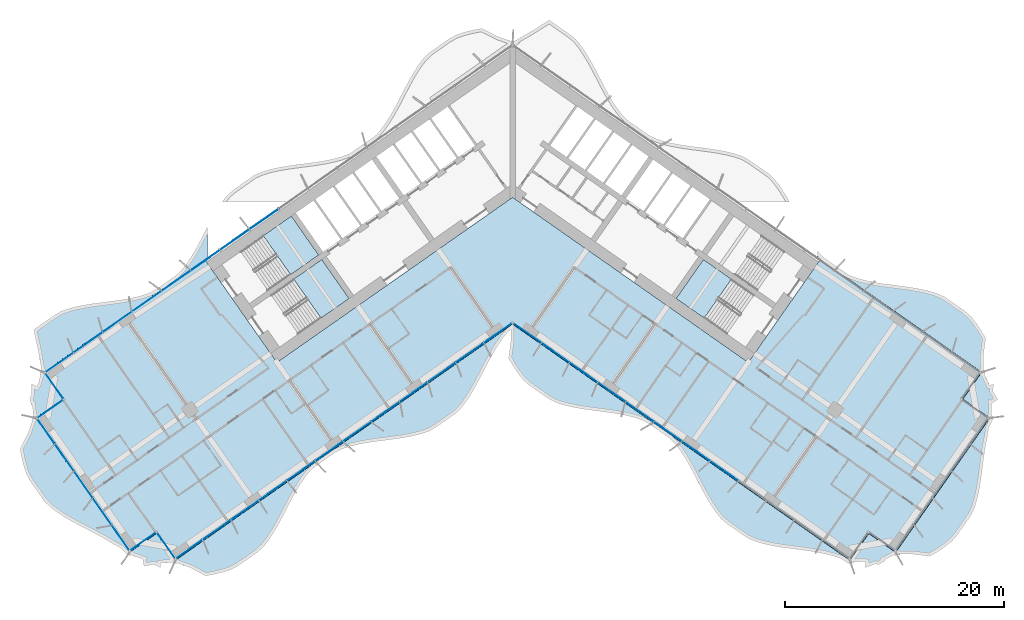
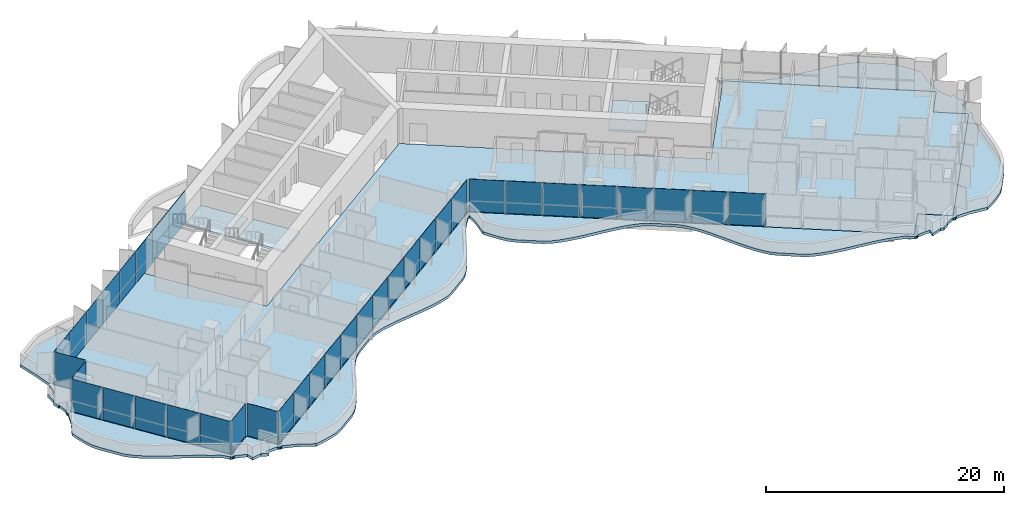
# One storey, part 11 of 24: 37 plates, 5 slabs, 5 elements without a shape of their own.
"""IFC4 building model written with IfcOpenShell, lengths in metres."""

from ifc_helpers import new_model, si_unit, direction, frame, origin, origin_2d, place, context, subcontext, project, spatial, polyline, rectangle, outline, extrude, material, layer, layer_set, type_object, element, aggregate, save


model = new_model("IFC4")

# Units and contexts
model_context = context("Model", 3, precision=1e-05, world=origin(), true_north=direction((0.0, 1.0)))
body_context = subcontext(model_context, "Body", "Model", "MODEL_VIEW")
ifc_project = project(units=[si_unit("LENGTHUNIT", "METRE"), si_unit("AREAUNIT", "SQUARE_METRE"), si_unit("VOLUMEUNIT", "CUBIC_METRE"), si_unit("PLANEANGLEUNIT", "RADIAN"), si_unit("MASSUNIT", "GRAM", prefix="KILO")], contexts=[model_context])

# Site, building, storey
site_placement = place(None, origin())
site = spatial("IfcSite", under=ifc_project, at=site_placement, CompositionType="ELEMENT")
building_placement = place(site_placement, origin())
building = spatial("IfcBuilding", under=site, at=building_placement, Name="Tel Ilan Convention Tower", CompositionType="ELEMENT")
storey_placement = place(building_placement, frame((0.0, 0.0, 68.89990234375)))
storey = spatial("IfcBuildingStorey", under=building, at=storey_placement, Name="L12", CompositionType="ELEMENT", Elevation=68.89990234375)

# Curtain wall, plates
ifc_material_1 = material(Name="Aluminium, bronze anodised", Category="aluminium")
curtain_wall_type_1 = type_object("IfcCurtainWallType", Name="CW1 UNITISED CURTAIN WALL, HOTEL TINTED GLASS", PredefinedType="NOTDEFINED", material=ifc_material_1)
curtain_wall_1_placement = place(storey_placement, origin())
curtain_wall_1 = element("IfcCurtainWall", 1, at=curtain_wall_1_placement, inside=storey, type_object=curtain_wall_type_1, Name="Curtain wall CW1-12.02", PredefinedType="NOTDEFINED")
ifc_material_2 = material(Name="Glass, bronze tinted, two-ply unitised", Category="glass")
ifc_layer_1 = layer(ifc_material_2, 0.028076171875)
ifc_layer_set_1 = layer_set([ifc_layer_1], Name="CW HOTEL GLASS PANEL 28")
plate_type_1 = type_object("IfcPlateType", Name="CW HOTEL GLASS PANEL 28", PredefinedType="CURTAIN_PANEL", material=ifc_layer_set_1)
plate_1_placement = place(storey_placement, frame((-30.765869140625, -8.846435546875, 0.0), z_axis=(0.0, 0.0, 1.0), x_axis=(-0.819152044289, -0.573576436351, 0.0)))
plate_1 = element("IfcPlate", 2, at=plate_1_placement, type_object=plate_type_1, Name="Glass panel", PredefinedType="CURTAIN_PANEL", context=body_context, shape_type="SweptSolid", body=[
    extrude(rectangle(XDim=3.2119140625, YDim=0.028076171875, at=origin_2d()), origin(), (0.0, 0.0, 1.0), 3.320068359375),
])
plate_2_placement = place(storey_placement, frame((-33.446044921875, -10.72314453125, 0.0), z_axis=(0.0, 0.0, 1.0), x_axis=(-0.819152044289, -0.573576436351, 0.0)))
plate_2 = element("IfcPlate", 3, at=plate_2_placement, type_object=plate_type_1, Name="Glass panel", PredefinedType="CURTAIN_PANEL", context=body_context, shape_type="SweptSolid", body=[
    extrude(rectangle(XDim=3.2119140625, YDim=0.028076171875, at=origin_2d()), origin(), (0.0, 0.0, 1.0), 3.320068359375),
])
plate_3_placement = place(storey_placement, frame((-36.12646484375, -12.599853515625, 0.0), z_axis=(0.0, 0.0, 1.0), x_axis=(-0.819152044289, -0.573576436351, 0.0)))
plate_3 = element("IfcPlate", 4, at=plate_3_placement, type_object=plate_type_1, Name="Glass panel", PredefinedType="CURTAIN_PANEL", context=body_context, shape_type="SweptSolid", body=[
    extrude(rectangle(XDim=3.2119140625, YDim=0.028076171875, at=origin_2d()), origin(), (0.0, 0.0, 1.0), 3.320068359375),
])
plate_4_placement = place(storey_placement, frame((-38.806640625, -14.4765625, 0.0), z_axis=(0.0, 0.0, 1.0), x_axis=(-0.819152044289, -0.573576436351, 0.0)))
plate_4 = element("IfcPlate", 5, at=plate_4_placement, type_object=plate_type_1, Name="Glass panel", PredefinedType="CURTAIN_PANEL", context=body_context, shape_type="SweptSolid", body=[
    extrude(rectangle(XDim=3.2119140625, YDim=0.028076171875, at=origin_2d()), origin(), (0.0, 0.0, 1.0), 3.320068359375),
])
plate_5_placement = place(storey_placement, frame((-41.448486328125, -16.326416015625, 0.0), z_axis=(0.0, 0.0, 1.0), x_axis=(-0.819152044289, -0.573576436351, 0.0)))
plate_5 = element("IfcPlate", 6, at=plate_5_placement, type_object=plate_type_1, Name="Glass panel", PredefinedType="CURTAIN_PANEL", context=body_context, shape_type="SweptSolid", body=[
    extrude(rectangle(XDim=3.117919921875, YDim=0.028076171875, at=origin_2d()), origin(), (0.0, 0.0, 1.0), 3.320068359375),
])
plate_6_placement = place(storey_placement, frame((-41.90673828125, -18.431640625, 0.0), z_axis=(0.0, 0.0, 1.0), x_axis=(0.573576436351, -0.819152044289, 0.0)))
plate_6 = element("IfcPlate", 7, at=plate_6_placement, type_object=plate_type_1, Name="Glass panel", PredefinedType="CURTAIN_PANEL", context=body_context, shape_type="SweptSolid", body=[
    extrude(rectangle(XDim=2.875, YDim=0.028076171875, at=origin_2d()), origin(), (0.0, 0.0, 1.0), 3.320068359375),
])
plate_7_placement = place(storey_placement, frame((-42.28466796875, -20.57421875, 0.0), z_axis=(0.0, 0.0, 1.0), x_axis=(-0.819152044289, -0.573576436351, 0.0)))
plate_7 = element("IfcPlate", 8, at=plate_7_placement, type_object=plate_type_1, Name="Glass panel", PredefinedType="CURTAIN_PANEL", context=body_context, shape_type="SweptSolid", body=[
    extrude(rectangle(XDim=2.875, YDim=0.028076171875, at=origin_2d()), origin(), (0.0, 0.0, 1.0), 3.320068359375),
])
plate_8_placement = place(storey_placement, frame((-42.65185546875, -22.597900390625, 0.0), z_axis=(0.0, 0.0, 1.0), x_axis=(0.573576436351, -0.819152044289, 0.0)))
plate_8 = element("IfcPlate", 9, at=plate_8_placement, type_object=plate_type_1, Name="Glass panel", PredefinedType="CURTAIN_PANEL", context=body_context, shape_type="SweptSolid", body=[
    extrude(rectangle(XDim=2.845947265625, YDim=0.028076171875, at=origin_2d()), origin(), (0.0, 0.0, 1.0), 3.320068359375),
])
plate_9_placement = place(storey_placement, frame((-40.9580078125, -25.016845703125, 0.0), z_axis=(0.0, 0.0, 1.0), x_axis=(0.573576436351, -0.819152044289, 0.0)))
plate_9 = element("IfcPlate", 10, at=plate_9_placement, type_object=plate_type_1, Name="Glass panel", PredefinedType="CURTAIN_PANEL", context=body_context, shape_type="SweptSolid", body=[
    extrude(rectangle(XDim=2.93994140625, YDim=0.028076171875, at=origin_2d()), origin(), (0.0, 0.0, 1.0), 3.320068359375),
])
plate_10_placement = place(storey_placement, frame((-39.2373046875, -27.474365234375, 0.0), z_axis=(0.0, 0.0, 1.0), x_axis=(0.573576436351, -0.819152044289, 0.0)))
plate_10 = element("IfcPlate", 11, at=plate_10_placement, type_object=plate_type_1, Name="Glass panel", PredefinedType="CURTAIN_PANEL", context=body_context, shape_type="SweptSolid", body=[
    extrude(rectangle(XDim=2.93994140625, YDim=0.028076171875, at=origin_2d()), origin(), (0.0, 0.0, 1.0), 3.320068359375),
])
plate_11_placement = place(storey_placement, frame((-37.5166015625, -29.931884765625, 0.0), z_axis=(0.0, 0.0, 1.0), x_axis=(0.573576436351, -0.819152044289, 0.0)))
plate_11 = element("IfcPlate", 12, at=plate_11_placement, type_object=plate_type_1, Name="Glass panel", PredefinedType="CURTAIN_PANEL", context=body_context, shape_type="SweptSolid", body=[
    extrude(rectangle(XDim=2.93994140625, YDim=0.028076171875, at=origin_2d()), origin(), (0.0, 0.0, 1.0), 3.320068359375),
])
plate_12_placement = place(storey_placement, frame((-35.822998046875, -32.350830078125, 0.0), z_axis=(0.0, 0.0, 1.0), x_axis=(0.573576436351, -0.819152044289, 0.0)))
plate_12 = element("IfcPlate", 13, at=plate_12_placement, type_object=plate_type_1, Name="Glass panel", PredefinedType="CURTAIN_PANEL", context=body_context, shape_type="SweptSolid", body=[
    extrude(rectangle(XDim=2.845947265625, YDim=0.028076171875, at=origin_2d()), origin(), (0.0, 0.0, 1.0), 3.320068359375),
])
plate_13_placement = place(storey_placement, frame((-33.795654296875, -32.69775390625, 0.0), z_axis=(0.0, 0.0, 1.0), x_axis=(0.819152044289, 0.573576436351, 0.0)))
plate_13 = element("IfcPlate", 14, at=plate_13_placement, type_object=plate_type_1, Name="Glass panel", PredefinedType="CURTAIN_PANEL", context=body_context, shape_type="SweptSolid", body=[
    extrude(rectangle(XDim=2.875, YDim=0.028076171875, at=origin_2d()), origin(), (0.0, 0.0, 1.0), 3.320068359375),
])
plate_14_placement = place(storey_placement, frame((-31.653076171875, -33.07568359375, 0.0), z_axis=(0.0, 0.0, 1.0), x_axis=(0.573576436351, -0.819152044289, 0.0)))
plate_14 = element("IfcPlate", 15, at=plate_14_placement, type_object=plate_type_1, Name="Glass panel", PredefinedType="CURTAIN_PANEL", context=body_context, shape_type="SweptSolid", body=[
    extrude(rectangle(XDim=2.875, YDim=0.028076171875, at=origin_2d()), origin(), (0.0, 0.0, 1.0), 3.320068359375),
])
plate_15_placement = place(storey_placement, frame((-29.5732421875, -33.4033203125, 0.0), z_axis=(0.0, 0.0, 1.0), x_axis=(0.819152044289, 0.573576436351, 0.0)))
plate_15 = element("IfcPlate", 16, at=plate_15_placement, type_object=plate_type_1, Name="Glass panel", PredefinedType="CURTAIN_PANEL", context=body_context, shape_type="SweptSolid", body=[
    extrude(rectangle(XDim=2.9833984375, YDim=0.028076171875, at=origin_2d()), origin(), (0.0, 0.0, 1.0), 3.320068359375),
])
plate_16_placement = place(storey_placement, frame((-27.041748046875, -31.630859375, 0.0), z_axis=(0.0, 0.0, 1.0), x_axis=(0.819152044289, 0.573576436351, 0.0)))
plate_16 = element("IfcPlate", 17, at=plate_16_placement, type_object=plate_type_1, Name="Glass panel", PredefinedType="CURTAIN_PANEL", context=body_context, shape_type="SweptSolid", body=[
    extrude(rectangle(XDim=3.077392578125, YDim=0.028076171875, at=origin_2d()), origin(), (0.0, 0.0, 1.0), 3.320068359375),
])
plate_17_placement = place(storey_placement, frame((-24.4716796875, -29.831298828125, 0.0), z_axis=(0.0, 0.0, 1.0), x_axis=(0.819152044289, 0.573576436351, 0.0)))
plate_17 = element("IfcPlate", 18, at=plate_17_placement, type_object=plate_type_1, Name="Glass panel", PredefinedType="CURTAIN_PANEL", context=body_context, shape_type="SweptSolid", body=[
    extrude(rectangle(XDim=3.077392578125, YDim=0.028076171875, at=origin_2d()), origin(), (0.0, 0.0, 1.0), 3.320068359375),
])
plate_18_placement = place(storey_placement, frame((-21.90185546875, -28.031982421875, 0.0), z_axis=(0.0, 0.0, 1.0), x_axis=(0.819152044289, 0.573576436351, 0.0)))
plate_18 = element("IfcPlate", 19, at=plate_18_placement, type_object=plate_type_1, Name="Glass panel", PredefinedType="CURTAIN_PANEL", context=body_context, shape_type="SweptSolid", body=[
    extrude(rectangle(XDim=3.077392578125, YDim=0.028076171875, at=origin_2d()), origin(), (0.0, 0.0, 1.0), 3.320068359375),
])
plate_19_placement = place(storey_placement, frame((-19.33203125, -26.232421875, 0.0), z_axis=(0.0, 0.0, 1.0), x_axis=(0.819152044289, 0.573576436351, 0.0)))
plate_19 = element("IfcPlate", 20, at=plate_19_placement, type_object=plate_type_1, Name="Glass panel", PredefinedType="CURTAIN_PANEL", context=body_context, shape_type="SweptSolid", body=[
    extrude(rectangle(XDim=3.077392578125, YDim=0.028076171875, at=origin_2d()), origin(), (0.0, 0.0, 1.0), 3.320068359375),
])
plate_20_placement = place(storey_placement, frame((-16.761962890625, -24.432861328125, 0.0), z_axis=(0.0, 0.0, 1.0), x_axis=(0.819152044289, 0.573576436351, 0.0)))
plate_20 = element("IfcPlate", 21, at=plate_20_placement, type_object=plate_type_1, Name="Glass panel", PredefinedType="CURTAIN_PANEL", context=body_context, shape_type="SweptSolid", body=[
    extrude(rectangle(XDim=3.077392578125, YDim=0.028076171875, at=origin_2d()), origin(), (0.0, 0.0, 1.0), 3.320068359375),
])
plate_21_placement = place(storey_placement, frame((-14.192138671875, -22.633544921875, 0.0), z_axis=(0.0, 0.0, 1.0), x_axis=(0.819152044289, 0.573576436351, 0.0)))
plate_21 = element("IfcPlate", 22, at=plate_21_placement, type_object=plate_type_1, Name="Glass panel", PredefinedType="CURTAIN_PANEL", context=body_context, shape_type="SweptSolid", body=[
    extrude(rectangle(XDim=3.077392578125, YDim=0.028076171875, at=origin_2d()), origin(), (0.0, 0.0, 1.0), 3.320068359375),
])
plate_22_placement = place(storey_placement, frame((-11.6220703125, -20.833984375, 0.0), z_axis=(0.0, 0.0, 1.0), x_axis=(0.819152044289, 0.573576436351, 0.0)))
plate_22 = element("IfcPlate", 23, at=plate_22_placement, type_object=plate_type_1, Name="Glass panel", PredefinedType="CURTAIN_PANEL", context=body_context, shape_type="SweptSolid", body=[
    extrude(rectangle(XDim=3.077392578125, YDim=0.028076171875, at=origin_2d()), origin(), (0.0, 0.0, 1.0), 3.320068359375),
])
plate_23_placement = place(storey_placement, frame((-9.05224609375, -19.034423828125, 0.0), z_axis=(0.0, 0.0, 1.0), x_axis=(0.819152044289, 0.573576436351, 0.0)))
plate_23 = element("IfcPlate", 24, at=plate_23_placement, type_object=plate_type_1, Name="Glass panel", PredefinedType="CURTAIN_PANEL", context=body_context, shape_type="SweptSolid", body=[
    extrude(rectangle(XDim=3.077392578125, YDim=0.028076171875, at=origin_2d()), origin(), (0.0, 0.0, 1.0), 3.320068359375),
])
plate_24_placement = place(storey_placement, frame((-6.482177734375, -17.23486328125, 0.0), z_axis=(0.0, 0.0, 1.0), x_axis=(0.819152044289, 0.573576436351, 0.0)))
plate_24 = element("IfcPlate", 25, at=plate_24_placement, type_object=plate_type_1, Name="Glass panel", PredefinedType="CURTAIN_PANEL", context=body_context, shape_type="SweptSolid", body=[
    extrude(rectangle(XDim=3.077392578125, YDim=0.028076171875, at=origin_2d()), origin(), (0.0, 0.0, 1.0), 3.320068359375),
])
plate_25_placement = place(storey_placement, frame((-3.912353515625, -15.435546875, 0.0), z_axis=(0.0, 0.0, 1.0), x_axis=(0.819152044289, 0.573576436351, 0.0)))
plate_25 = element("IfcPlate", 26, at=plate_25_placement, type_object=plate_type_1, Name="Glass panel", PredefinedType="CURTAIN_PANEL", context=body_context, shape_type="SweptSolid", body=[
    extrude(rectangle(XDim=3.077392578125, YDim=0.028076171875, at=origin_2d()), origin(), (0.0, 0.0, 1.0), 3.320068359375),
])
plate_26_placement = place(storey_placement, frame((-1.3427734375, -13.63623046875, 0.0), z_axis=(0.0, 0.0, 1.0), x_axis=(0.819152044289, 0.573576436351, 0.0)))
plate_26 = element("IfcPlate", 27, at=plate_26_placement, type_object=plate_type_1, Name="Glass panel", PredefinedType="CURTAIN_PANEL", context=body_context, shape_type="SweptSolid", body=[
    extrude(rectangle(XDim=3.076416015625, YDim=0.028076171875, at=origin_2d()), origin(), (0.0, 0.0, 1.0), 3.320068359375),
])
plate_27_placement = place(storey_placement, frame((1.354248046875, -13.644287109375, 0.0), z_axis=(0.0, 0.0, 1.0), x_axis=(0.819152044289, -0.573576436351, 0.0)))
plate_27 = element("IfcPlate", 28, at=plate_27_placement, type_object=plate_type_1, Name="Glass panel", PredefinedType="CURTAIN_PANEL", context=body_context, shape_type="SweptSolid", body=[
    extrude(rectangle(XDim=3.048095703125, YDim=0.028076171875, at=origin_2d()), origin(), (0.0, 0.0, 1.0), 3.320068359375),
])
plate_28_placement = place(storey_placement, frame((3.912353515625, -15.435546875, 0.0), z_axis=(0.0, 0.0, 1.0), x_axis=(0.819152044289, -0.573576436351, 0.0)))
plate_28 = element("IfcPlate", 29, at=plate_28_placement, type_object=plate_type_1, Name="Glass panel", PredefinedType="CURTAIN_PANEL", context=body_context, shape_type="SweptSolid", body=[
    extrude(rectangle(XDim=3.077392578125, YDim=0.028076171875, at=origin_2d()), origin(), (0.0, 0.0, 1.0), 3.320068359375),
])
plate_29_placement = place(storey_placement, frame((6.482177734375, -17.23486328125, 0.0), z_axis=(0.0, 0.0, 1.0), x_axis=(0.819152044289, -0.573576436351, 0.0)))
plate_29 = element("IfcPlate", 30, at=plate_29_placement, type_object=plate_type_1, Name="Glass panel", PredefinedType="CURTAIN_PANEL", context=body_context, shape_type="SweptSolid", body=[
    extrude(rectangle(XDim=3.077392578125, YDim=0.028076171875, at=origin_2d()), origin(), (0.0, 0.0, 1.0), 3.320068359375),
])
plate_30_placement = place(storey_placement, frame((9.05224609375, -19.034423828125, 0.0), z_axis=(0.0, 0.0, 1.0), x_axis=(0.819152044289, -0.573576436351, 0.0)))
plate_30 = element("IfcPlate", 31, at=plate_30_placement, type_object=plate_type_1, Name="Glass panel", PredefinedType="CURTAIN_PANEL", context=body_context, shape_type="SweptSolid", body=[
    extrude(rectangle(XDim=3.077392578125, YDim=0.028076171875, at=origin_2d()), origin(), (0.0, 0.0, 1.0), 3.320068359375),
])
plate_31_placement = place(storey_placement, frame((11.6220703125, -20.833984375, 0.0), z_axis=(0.0, 0.0, 1.0), x_axis=(0.819152044289, -0.573576436351, 0.0)))
plate_31 = element("IfcPlate", 32, at=plate_31_placement, type_object=plate_type_1, Name="Glass panel", PredefinedType="CURTAIN_PANEL", context=body_context, shape_type="SweptSolid", body=[
    extrude(rectangle(XDim=3.077392578125, YDim=0.028076171875, at=origin_2d()), origin(), (0.0, 0.0, 1.0), 3.320068359375),
])
plate_32_placement = place(storey_placement, frame((14.192138671875, -22.633544921875, 0.0), z_axis=(0.0, 0.0, 1.0), x_axis=(0.819152044289, -0.573576436351, 0.0)))
plate_32 = element("IfcPlate", 33, at=plate_32_placement, type_object=plate_type_1, Name="Glass panel", PredefinedType="CURTAIN_PANEL", context=body_context, shape_type="SweptSolid", body=[
    extrude(rectangle(XDim=3.077392578125, YDim=0.028076171875, at=origin_2d()), origin(), (0.0, 0.0, 1.0), 3.320068359375),
])
plate_33_placement = place(storey_placement, frame((16.761962890625, -24.432861328125, 0.0), z_axis=(0.0, 0.0, 1.0), x_axis=(0.819152044289, -0.573576436351, 0.0)))
plate_33 = element("IfcPlate", 34, at=plate_33_placement, type_object=plate_type_1, Name="Glass panel", PredefinedType="CURTAIN_PANEL", context=body_context, shape_type="SweptSolid", body=[
    extrude(rectangle(XDim=3.077392578125, YDim=0.028076171875, at=origin_2d()), origin(), (0.0, 0.0, 1.0), 3.320068359375),
])
plate_34_placement = place(storey_placement, frame((19.33203125, -26.232421875, 0.0), z_axis=(0.0, 0.0, 1.0), x_axis=(0.819152044289, -0.573576436351, 0.0)))
plate_34 = element("IfcPlate", 35, at=plate_34_placement, type_object=plate_type_1, Name="Glass panel", PredefinedType="CURTAIN_PANEL", context=body_context, shape_type="SweptSolid", body=[
    extrude(rectangle(XDim=3.077392578125, YDim=0.028076171875, at=origin_2d()), origin(), (0.0, 0.0, 1.0), 3.320068359375),
])
aggregate(curtain_wall_1, [plate_1, plate_2, plate_3, plate_4, plate_5, plate_6, plate_7, plate_8, plate_9, plate_10, plate_11, plate_12, plate_13, plate_14, plate_15, plate_16, plate_17, plate_18, plate_19, plate_20, plate_21, plate_22, plate_23, plate_24, plate_25, plate_26, plate_27, plate_28, plate_29, plate_30, plate_31, plate_32, plate_33, plate_34])

ifc_material_3 = material(Name="Aluminium, bronze anodised", Category="aluminium")
curtain_wall_type_2 = type_object("IfcCurtainWallType", Name="CW2 STICK CURTAIN WALL, SPANDREL PANELS", PredefinedType="NOTDEFINED", material=ifc_material_3)
curtain_wall_2_placement = place(storey_placement, origin())
curtain_wall_2 = element("IfcCurtainWall", 36, at=curtain_wall_2_placement, inside=storey, type_object=curtain_wall_type_2, Name="Curtain wall CW2-12.01", PredefinedType="NOTDEFINED")
ifc_material_4 = material(Name="Aluminium composite panel, bronze anodised", Category="aluminium")
ifc_layer_2 = layer(ifc_material_4, 0.06005859375)
ifc_layer_set_2 = layer_set([ifc_layer_2], Name="CW SPANDREL PANEL 60")
plate_type_2 = type_object("IfcPlateType", Name="CW SPANDREL PANEL 60", PredefinedType="CURTAIN_PANEL", material=ifc_layer_set_2)
plate_35_placement = place(storey_placement, frame((-22.72509765625, -3.216064453125, 0.0), z_axis=(0.0, 0.0, 1.0), x_axis=(-0.819152044289, -0.573576436351, 0.0)))
plate_35 = element("IfcPlate", 37, at=plate_35_placement, type_object=plate_type_2, Name="Spandrel panel", PredefinedType="CURTAIN_PANEL", context=body_context, shape_type="SweptSolid", body=[
    extrude(rectangle(XDim=3.2119140625, YDim=0.06005859375, at=origin_2d()), origin(), (0.0, 0.0, 1.0), 3.320068359375),
])
plate_36_placement = place(storey_placement, frame((-25.4052734375, -5.0927734375, 0.0), z_axis=(0.0, 0.0, 1.0), x_axis=(-0.819152044289, -0.573576436351, 0.0)))
plate_36 = element("IfcPlate", 38, at=plate_36_placement, type_object=plate_type_2, Name="Spandrel panel", PredefinedType="CURTAIN_PANEL", context=body_context, shape_type="SweptSolid", body=[
    extrude(rectangle(XDim=3.2119140625, YDim=0.06005859375, at=origin_2d()), origin(), (0.0, 0.0, 1.0), 3.320068359375),
])
plate_37_placement = place(storey_placement, frame((-28.08544921875, -6.9697265625, 0.0), z_axis=(0.0, 0.0, 1.0), x_axis=(-0.819152044289, -0.573576436351, 0.0)))
plate_37 = element("IfcPlate", 39, at=plate_37_placement, type_object=plate_type_2, Name="Spandrel panel", PredefinedType="CURTAIN_PANEL", context=body_context, shape_type="SweptSolid", body=[
    extrude(rectangle(XDim=3.2119140625, YDim=0.06005859375, at=origin_2d()), origin(), (0.0, 0.0, 1.0), 3.320068359375),
])
aggregate(curtain_wall_2, [plate_35, plate_36, plate_37])

# Stair, slab
ifc_material_5 = material(Name="Concrete C40/50", Category="concrete")
stair_type = type_object("IfcStairType", Name="Pressurised Exit Stair 20 risers 180 mm", PredefinedType="HALF_TURN_STAIR", material=ifc_material_5)
stair_1_placement = place(storey_placement, origin())
stair_1 = element("IfcStair", 40, at=stair_1_placement, inside=storey, type_object=stair_type, Name="L12 Pressurised Stair S1", PredefinedType="HALF_TURN_STAIR")
ifc_material_6 = material(Name="Concrete C40/50", Category="concrete")
ifc_layer_3 = layer(ifc_material_6, 0.199951171875)
ifc_layer_set_3 = layer_set([ifc_layer_3], Name="Concrete Stair Landing 200 mm C40/50")
slab_type_1 = type_object("IfcSlabType", Name="Concrete Stair Landing 200 mm", PredefinedType="LANDING", material=ifc_layer_set_3)
slab_1_placement = place(storey_placement, frame((0.0, 0.0, 1.60009765625)))
slab_1 = element("IfcSlab", 41, at=slab_1_placement, type_object=slab_type_1, Name="S1 landing 1", PredefinedType="LANDING", context=body_context, shape_type="SweptSolid", body=[
    extrude(outline(polyline([(-20.2958984375, -8.29052734375), (-17.7314453125, -6.494873046875), (-20.226318359375, -2.931640625), (-22.791015625, -4.727294921875), (-20.2958984375, -8.29052734375)])), origin(), (0.0, 0.0, 1.0), 0.199951171875),
])
aggregate(stair_1, [slab_1])

stair_2_placement = place(storey_placement, origin())
stair_2 = element("IfcStair", 42, at=stair_2_placement, inside=storey, type_object=stair_type, Name="L12 Pressurised Stair S2", PredefinedType="HALF_TURN_STAIR")
slab_2_placement = place(storey_placement, frame((0.0, 0.0, 1.60009765625)))
slab_2 = element("IfcSlab", 43, at=slab_2_placement, type_object=slab_type_1, Name="S2 landing 1", PredefinedType="LANDING", context=body_context, shape_type="SweptSolid", body=[
    extrude(outline(polyline([(-17.51416015625, -12.263427734375), (-14.949462890625, -10.4677734375), (-17.444580078125, -6.904541015625), (-20.00927734375, -8.7001953125), (-17.51416015625, -12.263427734375)])), origin(), (0.0, 0.0, 1.0), 0.199951171875),
])
aggregate(stair_2, [slab_2])

stair_3_placement = place(storey_placement, origin())
stair_3 = element("IfcStair", 44, at=stair_3_placement, inside=storey, type_object=stair_type, Name="L12 Pressurised Stair S4", PredefinedType="HALF_TURN_STAIR")
slab_3_placement = place(storey_placement, frame((0.0, 0.0, 1.60009765625)))
slab_3 = element("IfcSlab", 45, at=slab_3_placement, type_object=slab_type_1, Name="S4 landing 1", PredefinedType="LANDING", context=body_context, shape_type="SweptSolid", body=[
    extrude(outline(polyline([(20.00927734375, -8.7001953125), (17.444580078125, -6.904541015625), (14.949462890625, -10.4677734375), (17.51416015625, -12.263427734375), (20.00927734375, -8.7001953125)])), origin(), (0.0, 0.0, 1.0), 0.199951171875),
])
aggregate(stair_3, [slab_3])

# Slabs
ifc_material_7 = material(Name="Concrete C40/50", Category="concrete")
ifc_layer_4 = layer(ifc_material_7, 0.280029296875)
ifc_layer_set_4 = layer_set([ifc_layer_4], Name="Edge Ledge Slab 280 mm C40/50")
slab_type_2 = type_object("IfcSlabType", Name="Edge Ledge Slab 280 mm C40/50", PredefinedType="FLOOR", material=ifc_layer_set_4)
slab_4_placement = place(storey_placement, frame((0.0, 0.0, -0.27978515625)))
element("IfcSlab", 46, at=slab_4_placement, inside=storey, type_object=slab_type_2, Name="L12 edge ledge 1", PredefinedType="FLOOR", context=body_context, shape_type="SweptSolid", body=[
    extrude(outline(polyline([(-30.83935546875, -34.412109375), (0.0, -12.818115234375), (30.83935546875, -34.412109375), (31.006591796875, -34.173095703125), (31.8720703125, -32.93701171875), (32.56005859375, -31.95458984375), (35.017578125, -33.67529296875), (43.62109375, -21.387939453125), (41.163818359375, -19.667236328125), (42.884521484375, -17.209716796875), (27.875, -6.7001953125), (27.875, -6.095458984375), (28.356689453125, -6.663818359375), (28.9658203125, -7.097900390625), (30.191162109375, -7.955810546875), (30.819091796875, -8.36279296875), (31.54931640625, -8.623779296875), (32.318115234375, -8.830078125), (33.117919921875, -8.99169921875), (33.940185546875, -9.120849609375), (34.77587890625, -9.2314453125), (35.614501953125, -9.337646484375), (36.44580078125, -9.4541015625), (37.260009765625, -9.595458984375), (38.0478515625, -9.774169921875), (38.80126953125, -10.001953125), (39.492919921875, -10.318115234375), (41.330810546875, -11.605224609375), (41.898193359375, -12.098876953125), (42.38134765625, -12.712890625), (42.827880859375, -13.378662109375), (43.245849609375, -14.085693359375), (43.041259765625, -15.681884765625), (43.056396484375, -16.964111328125), (43.05322265625, -16.96875), (43.096435546875, -16.997802734375), (43.16162109375, -17.094970703125), (43.184326171875, -17.209716796875), (43.16162109375, -17.32470703125), (43.12548828125, -17.378662109375), (43.130126953125, -17.3818359375), (43.590087890625, -18.400390625), (43.980224609375, -18.259765625), (43.89599609375, -18.9287109375), (44.357421875, -19.7060546875), (43.8017578125, -20.049560546875), (43.78125, -20.04541015625), (43.793212890625, -21.142333984375), (43.789794921875, -21.14697265625), (43.833251953125, -21.17578125), (43.898193359375, -21.273193359375), (43.921142578125, -21.387939453125), (43.898193359375, -21.502685546875), (43.8623046875, -21.556884765625), (43.866943359375, -21.56005859375), (43.5263671875, -22.2373046875), (43.40673828125, -23.069091796875), (43.24267578125, -23.86962890625), (43.11181640625, -24.693603515625), (43.00048828125, -25.53125), (42.89404296875, -26.372314453125), (42.777587890625, -27.20654296875), (42.63720703125, -28.023681640625), (42.45947265625, -28.814697265625), (42.232421875, -29.571533203125), (41.919921875, -30.268310546875), (40.62939453125, -32.111328125), (40.13671875, -32.681884765625), (39.521728515625, -33.1669921875), (38.8544921875, -33.615234375), (38.145751953125, -34.034423828125), (36.55078125, -33.833251953125), (35.26318359375, -33.847412109375), (35.258544921875, -33.843994140625), (35.2294921875, -33.887451171875), (35.13232421875, -33.952392578125), (35.017578125, -33.975341796875), (34.902587890625, -33.952392578125), (34.8486328125, -33.91650390625), (34.845458984375, -33.921142578125), (33.979248046875, -34.3603515625), (34.032958984375, -34.45068359375), (33.477294921875, -34.794189453125), (33.17138671875, -34.73291015625), (32.20068359375, -35.082763671875), (32.267822265625, -34.55126953125), (32.01025390625, -34.49951171875), (31.0849609375, -34.583984375), (31.080322265625, -34.580810546875), (31.051513671875, -34.624267578125), (30.9541015625, -34.689208984375), (30.83935546875, -34.7119140625), (30.724609375, -34.689208984375), (30.67041015625, -34.653076171875), (30.667236328125, -34.65771484375), (30.052001953125, -34.24951171875), (29.31787109375, -34.010986328125), (28.5576171875, -33.809814453125), (27.76708984375, -33.6513671875), (26.955078125, -33.5244140625), (26.130126953125, -33.415283203125), (25.302490234375, -33.310546875), (24.481689453125, -33.19580078125), (23.67724609375, -33.0576171875), (22.898193359375, -32.8828125), (22.15234375, -32.6611328125), (21.460693359375, -32.362060546875), (19.646728515625, -31.091796875), (19.073486328125, -30.623291015625), (18.59130859375, -30.025146484375), (18.145263671875, -29.375), (17.728759765625, -28.682861328125), (17.333251953125, -27.960693359375), (16.949462890625, -27.2216796875), (16.567626953125, -26.47998046875), (16.177734375, -25.749755859375), (15.7705078125, -25.044189453125), (15.33740234375, -24.376220703125), (14.8701171875, -23.75634765625), (14.340576171875, -23.2255859375), (12.526611328125, -21.95556640625), (11.8798828125, -21.591796875), (11.14892578125, -21.3486328125), (10.38232421875, -21.15673828125), (9.5869140625, -21.005615234375), (8.771484375, -20.883056640625), (7.9453125, -20.77587890625), (7.1181640625, -20.67041015625), (6.2998046875, -20.552001953125), (5.499755859375, -20.40771484375), (4.726806640625, -20.224609375), (3.98828125, -19.9921875), (3.320068359375, -19.65966796875), (1.505859375, -18.389404296875), (0.95361328125, -17.89111328125), (0.47900390625, -17.281982421875), (0.03955078125, -16.62255859375), (-0.37109375, -15.922119140625), (-0.15185546875, -14.322021484375), (-0.16796875, -13.314697265625), (-0.422119140625, -13.502197265625), (-0.897216796875, -14.110595703125), (-1.346435546875, -14.75634765625), (-1.765380859375, -15.44482421875), (-2.16259765625, -16.16455078125), (-2.547119140625, -16.90234375), (-2.9287109375, -17.644287109375), (-3.3173828125, -18.37646484375), (-3.722412109375, -19.0849609375), (-4.15283203125, -19.757080078125), (-4.616455078125, -20.38232421875), (-5.134033203125, -20.929931640625), (-6.947998046875, -22.2001953125), (-7.584228515625, -22.57861328125), (-8.311279296875, -22.8271484375), (-9.074951171875, -23.023681640625), (-9.867919921875, -23.178466796875), (-10.681640625, -23.30322265625), (-11.507080078125, -23.4111328125), (-12.334716796875, -23.516357421875), (-13.154296875, -23.6328125), (-13.95654296875, -23.774169921875), (-14.732666015625, -23.952880859375), (-15.474853515625, -24.1796875), (-16.154541015625, -24.495849609375), (-17.96875, -25.76611328125), (-18.531494140625, -26.249267578125), (-19.010009765625, -26.85302734375), (-19.45263671875, -27.5078125), (-19.86669921875, -28.20361328125), (-20.2607421875, -28.927978515625), (-20.643798828125, -29.66748046875), (-21.02587890625, -30.40869140625), (-21.4169921875, -31.13720703125), (-21.826416015625, -31.839599609375), (-22.262939453125, -32.50341796875), (-22.733642578125, -33.117919921875), (-23.27490234375, -33.632080078125), (-25.0888671875, -34.90234375), (-25.74609375, -35.2509765625), (-26.48095703125, -35.488525390625), (-27.250732421875, -35.676025390625), (-28.049560546875, -35.822265625), (-29.47802734375, -35.069091796875), (-30.667236328125, -34.65771484375), (-30.67041015625, -34.653076171875), (-30.724609375, -34.689208984375), (-30.83935546875, -34.7119140625), (-30.9541015625, -34.689208984375), (-31.051513671875, -34.624267578125), (-31.080322265625, -34.580810546875), (-31.0849609375, -34.583984375), (-32.199462890625, -34.66796875), (-32.20068359375, -35.082763671875), (-32.80029296875, -34.77490234375), (-33.688720703125, -34.9423828125), (-33.821533203125, -34.302734375), (-33.810546875, -34.284912109375), (-34.845458984375, -33.921142578125), (-34.8486328125, -33.91650390625), (-34.902587890625, -33.952392578125), (-35.017578125, -33.975341796875), (-35.13232421875, -33.952392578125), (-35.2294921875, -33.887451171875), (-35.258544921875, -33.843994140625), (-35.26318359375, -33.847412109375), (-35.783203125, -33.2958984375), (-36.523681640625, -32.89892578125), (-37.22021484375, -32.470703125), (-37.94970703125, -32.066162109375), (-38.698486328125, -31.6748046875), (-39.452392578125, -31.287353515625), (-40.196533203125, -30.892578125), (-40.91650390625, -30.481201171875), (-41.59912109375, -30.04345703125), (-42.232421875, -29.571533203125), (-42.7802734375, -29.03955078125), (-44.07080078125, -27.1962890625), (-44.438720703125, -26.538330078125), (-44.68408203125, -25.794677734375), (-44.876953125, -25.01416015625), (-45.028564453125, -24.20458984375), (-44.2939453125, -22.77490234375), (-43.866943359375, -21.56005859375), (-43.8623046875, -21.556884765625), (-43.898193359375, -21.502685546875), (-43.921142578125, -21.387939453125), (-43.898193359375, -21.273193359375), (-43.833251953125, -21.17578125), (-43.789794921875, -21.14697265625), (-43.793212890625, -21.142333984375), (-43.909912109375, -20.177978515625), (-44.01318359375, -20.197509765625), (-44.14599609375, -19.55810546875), (-43.9833984375, -19.29150390625), (-43.980224609375, -18.259765625), (-43.50390625, -18.504638671875), (-43.3671875, -18.2802734375), (-43.130126953125, -17.3818359375), (-43.12548828125, -17.378662109375), (-43.16162109375, -17.32470703125), (-43.184326171875, -17.209716796875), (-43.16162109375, -17.094970703125), (-43.096435546875, -16.997802734375), (-43.05322265625, -16.96875), (-43.056396484375, -16.964111328125), (-43.364990234375, -15.219482421875), (-43.78125, -13.321044921875), (-43.168701171875, -12.89208984375), (-41.943603515625, -12.0341796875), (-41.30322265625, -11.64453125), (-40.56787109375, -11.390869140625), (-39.794921875, -11.19091796875), (-38.99169921875, -11.033935546875), (-38.1669921875, -10.90771484375), (-37.33056640625, -10.798583984375), (-36.4921875, -10.69189453125), (-35.66259765625, -10.572998046875), (-34.851318359375, -10.427734375), (-34.067138671875, -10.243408203125), (-33.318603515625, -10.0087890625), (-32.6416015625, -9.671630859375), (-30.8037109375, -8.384765625), (-30.250244140625, -7.87109375), (-29.772216796875, -7.250244140625), (-29.329345703125, -6.57861328125), (-28.91455078125, -5.8671875), (-28.518310546875, -5.129150390625), (-28.131103515625, -4.378173828125), (-27.875, -3.883544921875), (-27.875, -6.7001953125), (-42.884521484375, -17.209716796875), (-41.163818359375, -19.667236328125), (-43.62109375, -21.387939453125), (-35.017578125, -33.67529296875), (-32.56005859375, -31.95458984375), (-31.8720703125, -32.93701171875), (-31.008056640625, -34.1708984375), (-30.83935546875, -34.412109375)])), origin(), (0.0, 0.0, 1.0), 0.27978515625),
])
ifc_material_8 = material(Name="Concrete C40/50", Category="concrete")
ifc_layer_5 = layer(ifc_material_8, 0.280029296875)
ifc_layer_set_5 = layer_set([ifc_layer_5], Name="Flat Plate Floor Slab 280 mm C40/50")
slab_type_3 = type_object("IfcSlabType", Name="Flat Plate Floor Slab 280 mm C40/50", PredefinedType="FLOOR", material=ifc_layer_set_5)
slab_5_placement = place(storey_placement, frame((0.0, 0.0, -0.27978515625)))
element("IfcSlab", 47, at=slab_5_placement, inside=storey, type_object=slab_type_3, Name="L12 floor slab", PredefinedType="FLOOR", context=body_context, shape_type="SweptSolid", body=[
    extrude(outline(polyline([(-21.54345703125, -16.3056640625), (0.0, -1.220703125), (21.54345703125, -16.3056640625), (28.1396484375, -6.885498046875), (42.884521484375, -17.209716796875), (41.163818359375, -19.667236328125), (43.62109375, -21.387939453125), (35.017578125, -33.67529296875), (32.56005859375, -31.95458984375), (30.83935546875, -34.412109375), (0.0, -12.818115234375), (-30.83935546875, -34.412109375), (-32.56005859375, -31.95458984375), (-35.017578125, -33.67529296875), (-43.62109375, -21.387939453125), (-41.163818359375, -19.667236328125), (-42.884521484375, -17.209716796875), (-28.1396484375, -6.885498046875), (-21.54345703125, -16.3056640625)])), origin(), (0.0, 0.0, 1.0), 0.27978515625),
])

save(model, "model.ifc")
